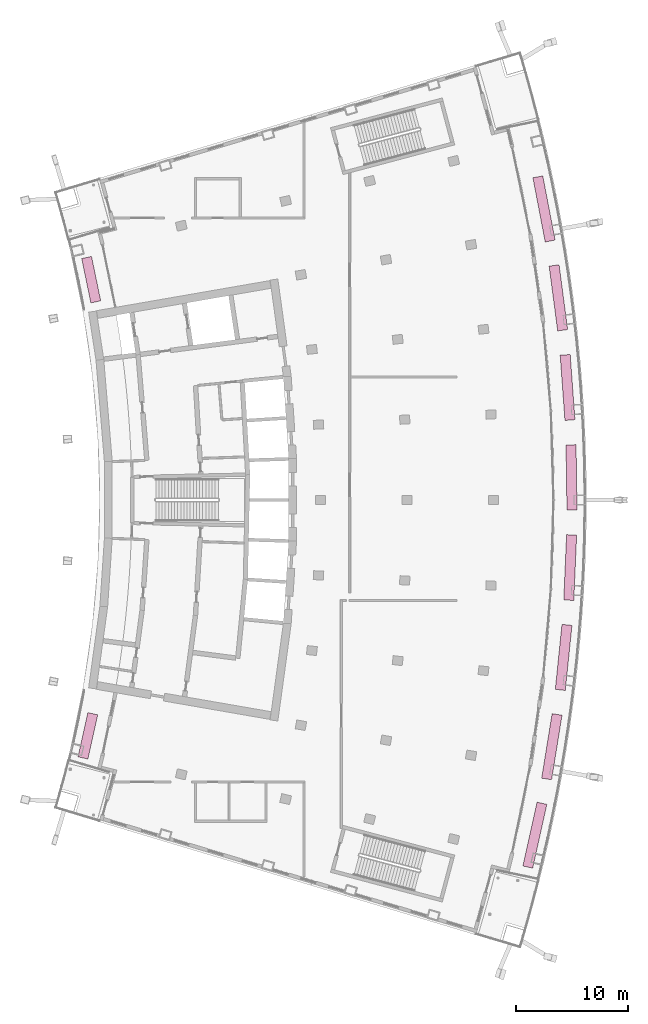
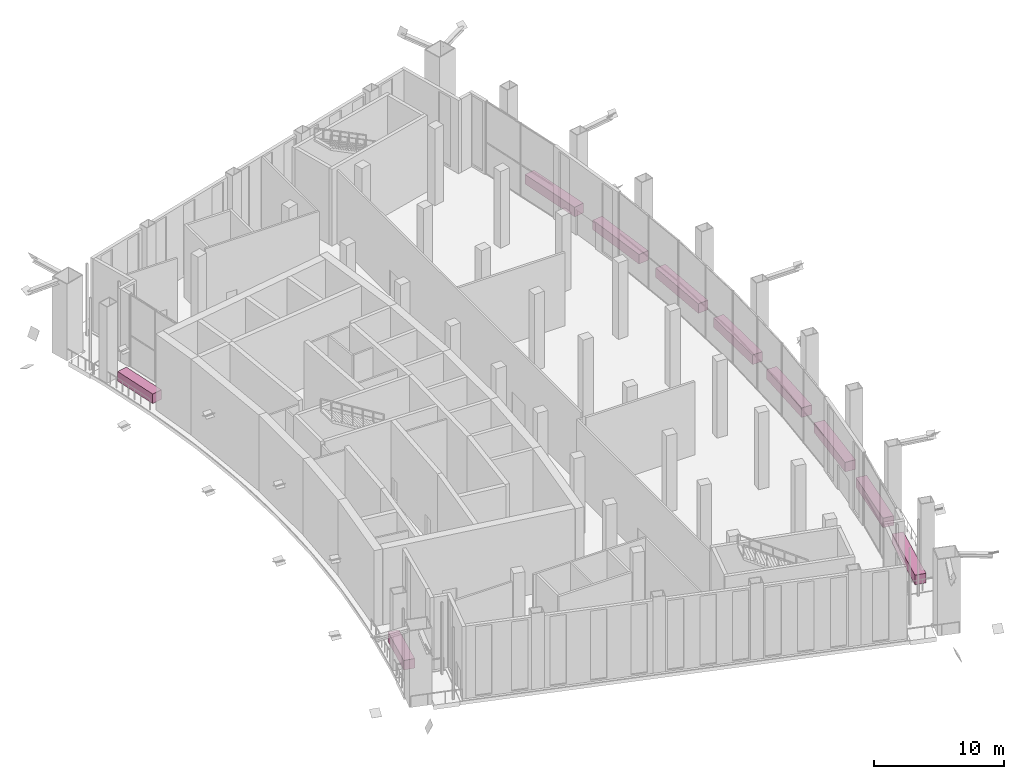
# One storey, part 26 of 26: 10 furnishings.
"""IFC4 building model written with IfcOpenShell, lengths in metres."""

from ifc_helpers import new_model, si_unit, direction, frame, origin, origin_2d, place, context, subcontext, project, spatial, rectangle, extrude, material, type_object, element, save


model = new_model("IFC4")

# Units and contexts
model_context = context("Model", 3, precision=1e-05, world=origin(), true_north=direction((0.0, 1.0)))
body_context = subcontext(model_context, "Body", "Model", "MODEL_VIEW")
ifc_project = project(units=[si_unit("LENGTHUNIT", "METRE"), si_unit("AREAUNIT", "SQUARE_METRE"), si_unit("VOLUMEUNIT", "CUBIC_METRE"), si_unit("PLANEANGLEUNIT", "RADIAN"), si_unit("MASSUNIT", "GRAM", prefix="KILO")], contexts=[model_context])

# Site, building, storey
site_placement = place(None, origin())
site = spatial("IfcSite", under=ifc_project, at=site_placement, CompositionType="ELEMENT")
building_placement = place(site_placement, origin())
building = spatial("IfcBuilding", under=site, at=building_placement, Name="Alderwake Tower", CompositionType="ELEMENT")
storey_placement = place(building_placement, frame((0.0, 0.0, 182.0)))
storey = spatial("IfcBuildingStorey", under=building, at=storey_placement, Name="L45", CompositionType="ELEMENT", Elevation=182.0)

# Furnishings
ifc_material = material(Name="Precast concrete C40/50 planter with soil", Category="concrete")
furnishing_element_type = type_object("IfcFurnishingElementType", Name="Planter box 900", material=ifc_material)
for number, where, z_axis, x_axis, name in (
    (1, (54.971923828125, 30.994873046875, 0.06005859375), (0.0, 0.0, 1.0), (0.97616929119, -0.217010402833, 0.0), "Planter"),
    (2, (56.49169921875, 38.914794921875, 0.06005859375), (0.0, 0.0, 1.0), (0.987160809417, -0.15972957256, 0.0), "Planter"),
    (3, (57.547119140625, 46.909912109375, 0.06005859375), (0.0, 0.0, 1.0), (0.994794098387, -0.101905357138, 0.0), "Planter"),
    (4, (58.134521484375, 54.952880859375, 0.06005859375), (0.0, 0.0, 1.0), (0.999043114028, -0.043736212829, 0.0), "Planter"),
    (5, (58.252197265625, 63.016357421875, 0.06005859375), (0.0, 0.0, 1.0), (0.999893655776, 0.014583454252, 0.0), "Planter"),
    (6, (57.8994140625, 71.072998046875, 0.06005859375), (0.0, 0.0, 1.0), (0.99734277946, 0.072851769087, 0.0), "Planter"),
    (7, (57.07763671875, 79.095458984375, 0.06005859375), (0.0, 0.0, 1.0), (0.991399010319, 0.130873994122, 0.0), "Planter"),
    (8, (55.78955078125, 87.056396484375, 0.06005859375), (0.0, 0.0, 1.0), (0.982082922864, 0.188449283945, 0.0), "Planter"),
):
    element("IfcFurnishingElement", number, at=place(storey_placement, frame(where, z_axis=z_axis, x_axis=x_axis)), inside=storey, type_object=furnishing_element_type, Name=name, ObjectType="PLANTER", context=body_context, shape_type="SweptSolid", body=[
        extrude(rectangle(XDim=0.89990234375, YDim=5.85009765625, at=origin_2d()), origin(), (0.0, 0.0, 1.0), 0.89990234375),
    ])
for number, where, z_axis, x_axis, name in (
    (9, (14.95849609375, 39.889892578125, 0.06005859375), (0.0, 0.0, 1.0), (0.97616929119, -0.217010402833, 0.0), "Planter"),
    (10, (15.25634765625, 80.722900390625, 0.06005859375), (0.0, 0.0, 1.0), (0.979230242507, 0.20275140483, 0.0), "Planter"),
):
    element("IfcFurnishingElement", number, at=place(storey_placement, frame(where, z_axis=z_axis, x_axis=x_axis)), inside=storey, type_object=furnishing_element_type, Name=name, ObjectType="PLANTER", context=body_context, shape_type="SweptSolid", body=[
        extrude(rectangle(XDim=0.89990234375, YDim=4.056396484375, at=origin_2d()), origin(), (0.0, 0.0, 1.0), 0.89990234375),
    ])

save(model, "model.ifc")
